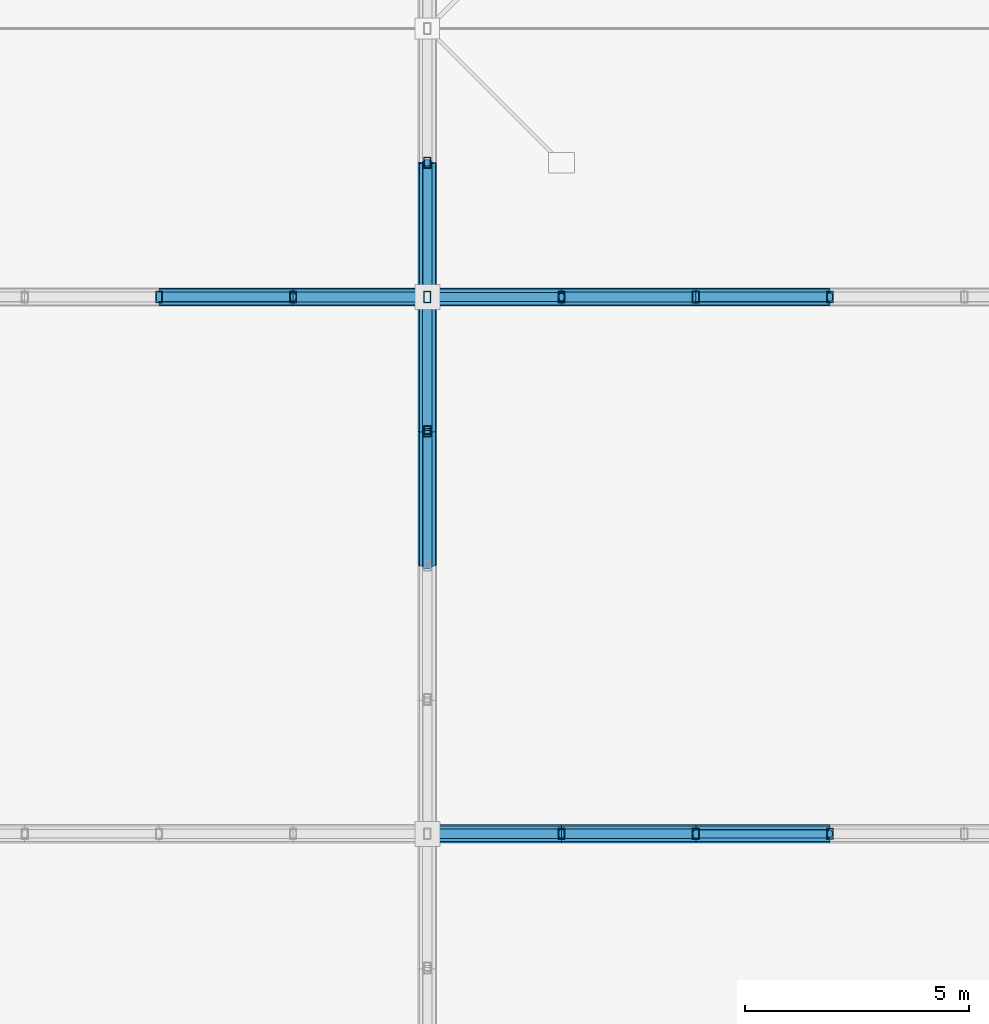
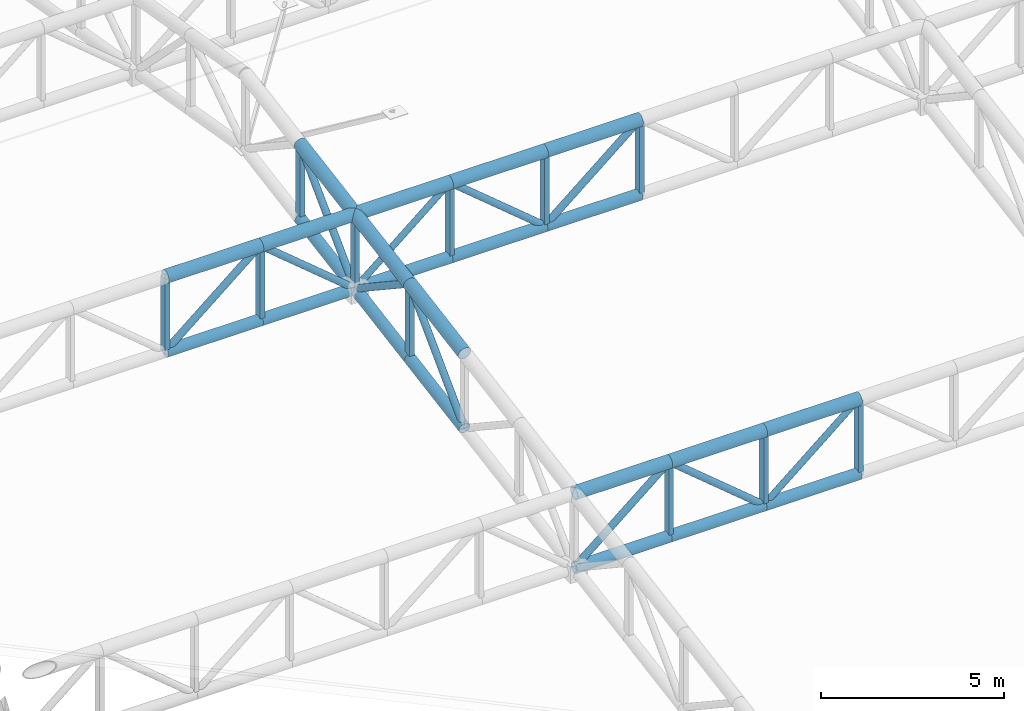
# One storey, part 92 of 239: 44 members.
"""IFC4 building model written with IfcOpenShell, lengths in metres."""

from ifc_helpers import new_model, si_unit, direction, frame, origin, origin_2d, place, context, subcontext, project, spatial, hollow_rectangle, hollow_circle, extrude, material, material_profile, profile_set, type_object, element, save


model = new_model("IFC4")

# Units and contexts
model_context = context("Model", 3, precision=1e-05, world=origin(), true_north=direction((0.0, 1.0)))
body_context = subcontext(model_context, "Body", "Model", "MODEL_VIEW")
ifc_project = project(units=[si_unit("LENGTHUNIT", "METRE"), si_unit("AREAUNIT", "SQUARE_METRE"), si_unit("VOLUMEUNIT", "CUBIC_METRE"), si_unit("PLANEANGLEUNIT", "RADIAN"), si_unit("MASSUNIT", "GRAM", prefix="KILO")], contexts=[model_context])

# Site, building, storey
site_placement = place(None, origin())
site = spatial("IfcSite", under=ifc_project, at=site_placement, CompositionType="ELEMENT")
building_placement = place(site_placement, origin())
building = spatial("IfcBuilding", under=site, at=building_placement, Name="Kaldris Quays Convention Centre", CompositionType="ELEMENT")
storey_placement = place(building_placement, frame((0.0, 0.0, 11.39990234375)))
storey = spatial("IfcBuildingStorey", under=building, at=storey_placement, Name="L02", CompositionType="ELEMENT", Elevation=11.39990234375)

# Members
ifc_material = material(Name="Steel S355J2H", Category="steel")
ifc_material_profile_1 = material_profile(ifc_material, hollow_circle(Radius=0.203125, WallThickness=0.01611328125, at=origin_2d()), Name="CHS 406.4x16")
ifc_profile_set_1 = profile_set([ifc_material_profile_1], Name="Steel S355J2H")
member_type_1 = type_object("IfcMemberType", Name="STRUCTURAL MEMBER SC01", PredefinedType="CHORD", material=ifc_profile_set_1)
for number, where, z_axis, x_axis, name in (
    (1, (74.0, 80.0, 13.7861328125), (1.0, 0.0, 0.0), (0.0, 1.0, 0.0), "SF-V1 Top Chord X 103"),
    (2, (77.0, 80.0, 13.7861328125), (1.0, 0.0, 0.0), (0.0, 1.0, 0.0), "SF-V1 Top Chord X 104"),
    (3, (80.0, 80.0, 13.7861328125), (1.0, 0.0, 0.0), (0.0, 1.0, 0.0), "SF-V1 Top Chord X 105"),
    (4, (68.0, 92.0, 15.84326171875), (1.0, 0.0, 0.0), (0.0, 1.0, 0.0), "SF-V1 Top Chord X 143"),
    (5, (71.0, 92.0, 15.84326171875), (1.0, 0.0, 0.0), (0.0, 1.0, 0.0), "SF-V1 Top Chord X 144"),
    (6, (74.0, 92.0, 15.84326171875), (1.0, 0.0, 0.0), (0.0, 1.0, 0.0), "SF-V1 Top Chord X 145"),
    (7, (77.0, 92.0, 15.84326171875), (1.0, 0.0, 0.0), (0.0, 1.0, 0.0), "SF-V1 Top Chord X 146"),
    (8, (80.0, 92.0, 15.84326171875), (1.0, 0.0, 0.0), (0.0, 1.0, 0.0), "SF-V1 Top Chord X 147"),
):
    element("IfcMember", number, at=place(storey_placement, frame(where, z_axis=z_axis, x_axis=x_axis)), inside=storey, type_object=member_type_1, Name=name, PredefinedType="CHORD", context=body_context, shape_type="SweptSolid", body=[
        extrude(hollow_circle(Radius=0.203125, WallThickness=0.01611328125, at=origin_2d()), origin(), (0.0, 0.0, 1.0), 3.0),
    ])
for number, where, z_axis, x_axis, name in (
    (9, (74.0, 86.0, 14.814697265625), (0.0, 0.985615766076, 0.169001661712), (-1.0, 0.0, 0.0), "SF-V1 Top Chord Y 431"),
    (10, (74.0, 89.0, 15.3291015625), (0.0, 0.98562912375, 0.168923741424), (-1.0, 0.0, 0.0), "SF-V1 Top Chord Y 432"),
    (11, (74.0, 92.0, 15.84326171875), (0.0, 0.985615766076, 0.169001661712), (-1.0, 0.0, 0.0), "SF-V1 Top Chord Y 433"),
):
    element("IfcMember", number, at=place(storey_placement, frame(where, z_axis=z_axis, x_axis=x_axis)), inside=storey, type_object=member_type_1, Name=name, PredefinedType="CHORD", context=body_context, shape_type="SweptSolid", body=[
        extrude(hollow_circle(Radius=0.203125, WallThickness=0.01611328125, at=origin_2d()), origin(), (0.0, 0.0, 1.0), 3.043701171875),
    ])
ifc_material_profile_2 = material_profile(ifc_material, hollow_circle(Radius=0.177734375, WallThickness=0.01611328125, at=origin_2d()), Name="CHS 355.6x16")
ifc_profile_set_2 = profile_set([ifc_material_profile_2], Name="Steel S355J2H")
member_type_2 = type_object("IfcMemberType", Name="STRUCTURAL MEMBER SC02", PredefinedType="CHORD", material=ifc_profile_set_2)
for number, where, z_axis, x_axis, name in (
    (12, (74.0, 80.0, 11.2861328125), (1.0, 0.0, 0.0), (0.0, 1.0, 0.0), "SF-V1 Bottom Chord X 103"),
    (13, (77.0, 80.0, 11.2861328125), (1.0, 0.0, 0.0), (0.0, 1.0, 0.0), "SF-V1 Bottom Chord X 104"),
    (14, (80.0, 80.0, 11.2861328125), (1.0, 0.0, 0.0), (0.0, 1.0, 0.0), "SF-V1 Bottom Chord X 105"),
    (15, (68.0, 92.0, 13.34326171875), (1.0, 0.0, 0.0), (0.0, 1.0, 0.0), "SF-V1 Bottom Chord X 143"),
    (16, (71.0, 92.0, 13.34326171875), (1.0, 0.0, 0.0), (0.0, 1.0, 0.0), "SF-V1 Bottom Chord X 144"),
    (17, (74.0, 92.0, 13.34326171875), (1.0, 0.0, 0.0), (0.0, 1.0, 0.0), "SF-V1 Bottom Chord X 145"),
    (18, (77.0, 92.0, 13.34326171875), (1.0, 0.0, 0.0), (0.0, 1.0, 0.0), "SF-V1 Bottom Chord X 146"),
    (19, (80.0, 92.0, 13.34326171875), (1.0, 0.0, 0.0), (0.0, 1.0, 0.0), "SF-V1 Bottom Chord X 147"),
):
    element("IfcMember", number, at=place(storey_placement, frame(where, z_axis=z_axis, x_axis=x_axis)), inside=storey, type_object=member_type_2, Name=name, PredefinedType="CHORD", context=body_context, shape_type="SweptSolid", body=[
        extrude(hollow_circle(Radius=0.177734375, WallThickness=0.01611328125, at=origin_2d()), origin(), (0.0, 0.0, 1.0), 3.0),
    ])
for number, where, z_axis, x_axis, name in (
    (20, (74.0, 86.0, 12.314697265625), (0.0, 0.985615766076, 0.169001661712), (-1.0, 0.0, 0.0), "SF-V1 Bottom Chord Y 431"),
    (21, (74.0, 89.0, 12.8291015625), (0.0, 0.98562912375, 0.168923741424), (-1.0, 0.0, 0.0), "SF-V1 Bottom Chord Y 432"),
    (22, (74.0, 92.0, 13.34326171875), (0.0, 0.985615766076, 0.169001661712), (-1.0, 0.0, 0.0), "SF-V1 Bottom Chord Y 433"),
):
    element("IfcMember", number, at=place(storey_placement, frame(where, z_axis=z_axis, x_axis=x_axis)), inside=storey, type_object=member_type_2, Name=name, PredefinedType="CHORD", context=body_context, shape_type="SweptSolid", body=[
        extrude(hollow_circle(Radius=0.177734375, WallThickness=0.01611328125, at=origin_2d()), origin(), (0.0, 0.0, 1.0), 3.043701171875),
    ])
ifc_material_profile_3 = material_profile(ifc_material, hollow_circle(Radius=0.109619140625, WallThickness=0.010009765625, at=origin_2d()), Name="CHS 219.1x10")
ifc_profile_set_3 = profile_set([ifc_material_profile_3], Name="Steel S355J2H")
member_type_3 = type_object("IfcMemberType", Name="STRUCTURAL MEMBER SWB1", PredefinedType="BRACE", material=ifc_profile_set_3)
for number, where, z_axis, x_axis, name in (
    (23, (74.0, 80.0, 11.2861328125), (0.768221279597, 0.0, 0.640184399664), (0.0, 1.0, 0.0), "SF-V1 Web Diagonal X 103"),
    (24, (80.0, 80.0, 11.2861328125), (-0.768221279597, 0.0, 0.640184399664), (0.0, -1.0, 0.0), "SF-V1 Web Diagonal X 104"),
    (25, (68.0, 92.0, 13.34326171875), (0.768221279597, 0.0, 0.640184399664), (0.0, 1.0, 0.0), "SF-V1 Web Diagonal X 143"),
    (26, (74.0, 92.0, 13.34326171875), (-0.768221279597, 0.0, 0.640184399664), (0.0, -1.0, 0.0), "SF-V1 Web Diagonal X 144"),
    (27, (80.0, 92.0, 13.34326171875), (-0.768221279597, 0.0, 0.640184399664), (0.0, -1.0, 0.0), "SF-V1 Web Diagonal X 146"),
    (28, (80.0, 92.0, 13.34326171875), (0.768221279597, 0.0, 0.640184399664), (0.0, 1.0, 0.0), "SF-V1 Web Diagonal X 147"),
):
    element("IfcMember", number, at=place(storey_placement, frame(where, z_axis=z_axis, x_axis=x_axis)), inside=storey, type_object=member_type_3, Name=name, PredefinedType="BRACE", context=body_context, shape_type="SweptSolid", body=[
        extrude(hollow_circle(Radius=0.109619140625, WallThickness=0.010009765625, at=origin_2d()), origin(), (0.0, 0.0, 1.0), 3.905029296875),
    ])
member_1_placement = place(storey_placement, frame((74.0, 86.0, 12.314697265625), z_axis=(0.0, 0.705411261057, 0.708798245465), x_axis=(-1.0, 0.0, 0.0)))
element("IfcMember", 29, at=member_1_placement, inside=storey, type_object=member_type_3, Name="SF-V1 Web Diagonal Y 431", PredefinedType="BRACE", context=body_context, shape_type="SweptSolid", body=[
    extrude(hollow_circle(Radius=0.109619140625, WallThickness=0.010009765625, at=origin_2d()), origin(), (0.0, 0.0, 1.0), 4.2529296875),
])
member_2_placement = place(storey_placement, frame((74.0, 92.0, 13.34326171875), z_axis=(0.0, -0.833862389808, 0.551972385962), x_axis=(1.0, 0.0, 0.0)))
element("IfcMember", 30, at=member_2_placement, inside=storey, type_object=member_type_3, Name="SF-V1 Web Diagonal Y 432", PredefinedType="BRACE", context=body_context, shape_type="SweptSolid", body=[
    extrude(hollow_circle(Radius=0.109619140625, WallThickness=0.010009765625, at=origin_2d()), origin(), (0.0, 0.0, 1.0), 3.59765625),
])
member_3_placement = place(storey_placement, frame((74.0, 92.0, 13.34326171875), z_axis=(0.0, 0.705411261057, 0.708798245465), x_axis=(-1.0, 0.0, 0.0)))
element("IfcMember", 31, at=member_3_placement, inside=storey, type_object=member_type_3, Name="SF-V1 Web Diagonal Y 433", PredefinedType="BRACE", context=body_context, shape_type="SweptSolid", body=[
    extrude(hollow_circle(Radius=0.109619140625, WallThickness=0.010009765625, at=origin_2d()), origin(), (0.0, 0.0, 1.0), 4.2529296875),
])
ifc_material_profile_4 = material_profile(ifc_material, hollow_circle(Radius=0.096923828125, WallThickness=0.008056640625, at=origin_2d()), Name="CHS 193.7x8")
ifc_profile_set_4 = profile_set([ifc_material_profile_4], Name="Steel S355J2H")
member_type_4 = type_object("IfcMemberType", Name="STRUCTURAL MEMBER SWB3", PredefinedType="BRACE", material=ifc_profile_set_4)
for number, where, z_axis, x_axis, name in (
    (32, (80.0, 80.0, 11.2861328125), (0.768221279597, 0.0, 0.640184399664), (0.0, 1.0, 0.0), "SF-V1 Web Diagonal X 105"),
    (33, (74.0, 92.0, 13.34326171875), (0.768221279597, 0.0, 0.640184399664), (0.0, 1.0, 0.0), "SF-V1 Web Diagonal X 145"),
):
    element("IfcMember", number, at=place(storey_placement, frame(where, z_axis=z_axis, x_axis=x_axis)), inside=storey, type_object=member_type_4, Name=name, PredefinedType="BRACE", context=body_context, shape_type="SweptSolid", body=[
        extrude(hollow_circle(Radius=0.096923828125, WallThickness=0.008056640625, at=origin_2d()), origin(), (0.0, 0.0, 1.0), 3.905029296875),
    ])
ifc_material_profile_5 = material_profile(ifc_material, hollow_rectangle(XDim=0.14990234375, YDim=0.25, WallThickness=0.010009765625, at=origin_2d()), Name="RHS 250x150x10")
ifc_profile_set_5 = profile_set([ifc_material_profile_5], Name="Steel S355J2H")
member_type_5 = type_object("IfcMemberType", Name="STRUCTURAL MEMBER TTV1", PredefinedType="POST", material=ifc_profile_set_5)
for number, where, z_axis, x_axis, name in (
    (34, (68.0, 92.0, 13.34326171875), (0.0, 0.0, 1.0), (1.0, 0.0, 0.0), "SF-V1 Space-Frame Post 195"),
    (35, (71.0, 92.0, 13.34326171875), (0.0, 0.0, 1.0), (1.0, 0.0, 0.0), "SF-V1 Space-Frame Post 203"),
    (36, (74.0, 89.0, 12.8291015625), (0.0, 0.0, 1.0), (1.0, 0.0, 0.0), "SF-V1 Space-Frame Post 219"),
    (37, (74.0, 92.0, 13.34326171875), (0.0, 0.0, 1.0), (1.0, 0.0, 0.0), "SF-V1 Space-Frame Post 220"),
    (38, (74.0, 95.0, 13.857666015625), (0.0, 0.0, 1.0), (1.0, 0.0, 0.0), "SF-V1 Space-Frame Post 221"),
    (39, (77.0, 80.0, 11.2861328125), (0.0, 0.0, 1.0), (1.0, 0.0, 0.0), "SF-V1 Space-Frame Post 239"),
    (40, (77.0, 92.0, 13.34326171875), (0.0, 0.0, 1.0), (1.0, 0.0, 0.0), "SF-V1 Space-Frame Post 240"),
    (41, (80.0, 80.0, 11.2861328125), (0.0, 0.0, 1.0), (1.0, 0.0, 0.0), "SF-V1 Space-Frame Post 247"),
    (42, (80.0, 92.0, 13.34326171875), (0.0, 0.0, 1.0), (1.0, 0.0, 0.0), "SF-V1 Space-Frame Post 248"),
    (43, (83.0, 80.0, 11.2861328125), (0.0, 0.0, 1.0), (1.0, 0.0, 0.0), "SF-V1 Space-Frame Post 255"),
    (44, (83.0, 92.0, 13.34326171875), (0.0, 0.0, 1.0), (1.0, 0.0, 0.0), "SF-V1 Space-Frame Post 256"),
):
    element("IfcMember", number, at=place(storey_placement, frame(where, z_axis=z_axis, x_axis=x_axis)), inside=storey, type_object=member_type_5, Name=name, PredefinedType="POST", context=body_context, shape_type="SweptSolid", body=[
        extrude(hollow_rectangle(XDim=0.14990234375, YDim=0.25, WallThickness=0.010009765625, at=origin_2d()), origin(), (0.0, 0.0, 1.0), 2.5),
    ])

save(model, "model.ifc")
